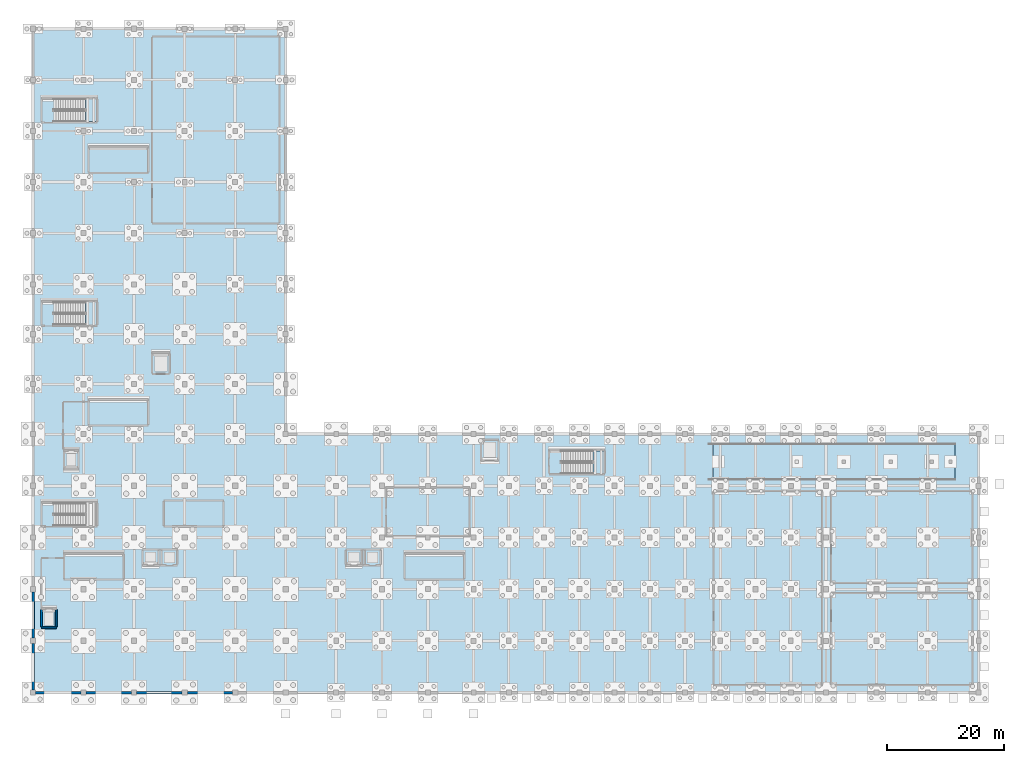
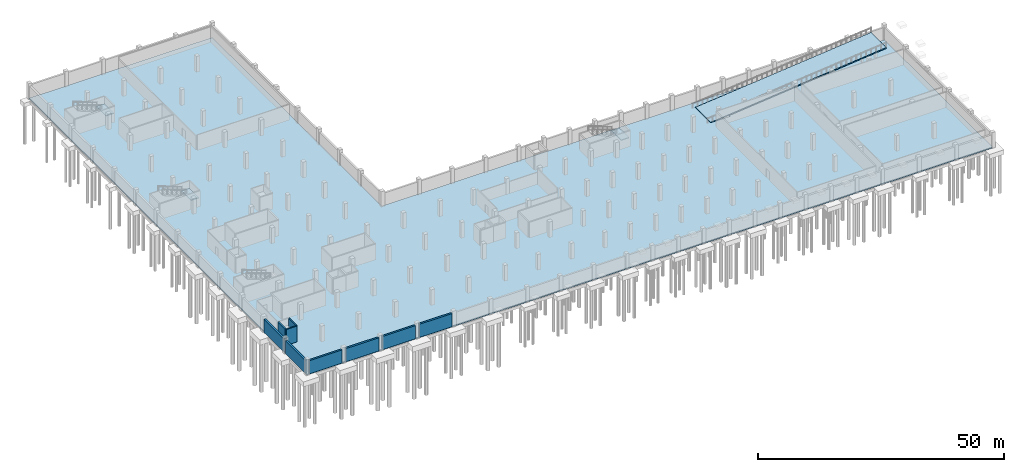
# One storey, part 13 of 28: 9 walls, 5 slabs, 3 elements without a shape of their own.
"""IFC4 building model written with IfcOpenShell, lengths in metres."""

import ifcopenshell
import ifcopenshell.guid

model = None  # the IFC model being written
_history = None  # IfcOwnerHistory: only IFC2X3 demands one
_inside = {}  # id of a spatial element -> (the spatial element, [elements in it])
_under = {}  # id of a project, library or spatial element -> (it, [spatial elements below it])
_declared = {}  # id of a project -> (the project, [libraries it declares])
_typed = {}  # id of a type object -> (the type object, [elements of that type])
_made_of = {}  # id of a material, layer set ... -> (it, [elements and type objects made of it])


def new_model(schema):
    """Start an empty IFC model of exactly this schema.

    Asked for "IFC4X3", IfcOpenShell would pick the latest addendum, in which some entities
    have other attributes; the version numbers below select the first issue.
    IFC2X3 requires an IfcOwnerHistory on every rooted entity: one is made here for all.
    """
    global model, _history
    if schema == "IFC4X3":
        model = ifcopenshell.file(schema_version=(4, 3, 0, 0))
    else:
        model = ifcopenshell.file(schema=schema)
    _inside.clear()
    _under.clear()
    _declared.clear()
    _typed.clear()
    _made_of.clear()
    _history = None
    if model.schema == "IFC2X3":
        org = make("IfcOrganization", Name="unknown")
        user = make(
            "IfcPersonAndOrganization",
            ThePerson=make("IfcPerson", FamilyName="unknown"),
            TheOrganization=org,
        )
        app = make(
            "IfcApplication",
            ApplicationDeveloper=org,
            Version="unknown",
            ApplicationFullName="unknown",
            ApplicationIdentifier="unknown",
        )
        _history = make(
            "IfcOwnerHistory",
            OwningUser=user,
            OwningApplication=app,
            ChangeAction="ADDED",
            CreationDate=0,
        )
    return model


def make(cls, **values):
    """One entity of the class cls with the attributes given. An attribute that is None is left unset."""
    return model.create_entity(
        cls, **{name: value for name, value in values.items() if value is not None}
    )


def rooted(cls, **values):
    """An entity with a GlobalId (a new one), such as an element, a storey or a relation."""
    return make(cls, GlobalId=ifcopenshell.guid.new(), OwnerHistory=_history, **values)


def si_unit(unit_type, name, prefix=None):
    """IfcSIUnit, for example si_unit("LENGTHUNIT", "METRE", prefix="MILLI")."""
    return make("IfcSIUnit", UnitType=unit_type, Prefix=prefix, Name=name)


def assignment(units):
    """IfcUnitAssignment: the units of a project."""
    return None if units is None else make("IfcUnitAssignment", Units=units)


def point(xyz):
    """IfcCartesianPoint."""
    return None if xyz is None else make("IfcCartesianPoint", Coordinates=xyz)


def direction(xyz):
    """IfcDirection."""
    return None if xyz is None else make("IfcDirection", DirectionRatios=xyz)


def frame(location, z_axis=None, x_axis=None):
    """IfcAxis2Placement3D, a coordinate frame: its origin and axes. An axis left out is left unset."""
    return make(
        "IfcAxis2Placement3D",
        Location=point(location),
        Axis=direction(z_axis),
        RefDirection=direction(x_axis),
    )


def frame_2d(location, x_axis=None):
    """IfcAxis2Placement2D, a coordinate frame in the plane: its origin and x axis."""
    return make(
        "IfcAxis2Placement2D", Location=point(location), RefDirection=direction(x_axis)
    )


def origin():
    """The frame at (0, 0, 0) with its axes left unset."""
    return frame((0.0, 0.0, 0.0))


def place(relative_to, where):
    """IfcLocalPlacement: puts the frame where relative to a parent placement (None: the world)."""
    return make(
        "IfcLocalPlacement", PlacementRelTo=relative_to, RelativePlacement=where
    )


def context(
    kind, dimensions, precision=None, world=None, true_north=None, identifier=None
):
    """IfcGeometricRepresentationContext, for example the 3D "Model" context."""
    return make(
        "IfcGeometricRepresentationContext",
        ContextIdentifier=identifier,
        ContextType=kind,
        CoordinateSpaceDimension=dimensions,
        Precision=precision,
        WorldCoordinateSystem=world,
        TrueNorth=true_north,
    )


def subcontext(parent, identifier, kind, view, scale=None):
    """IfcGeometricRepresentationSubContext, for example "Body" below "Model"."""
    return make(
        "IfcGeometricRepresentationSubContext",
        ContextIdentifier=identifier,
        ContextType=kind,
        ParentContext=parent,
        TargetScale=scale,
        TargetView=view,
    )


def project(units=None, contexts=None):
    """IfcProject with its units and contexts."""
    return rooted(
        "IfcProject",
        Name="project",
        RepresentationContexts=contexts,
        UnitsInContext=assignment(units),
    )


def spatial(cls, under=None, at=None, **own):
    """A site, building, storey or space (cls), placed at a placement, below another one or the project."""
    s = rooted(cls, ObjectPlacement=at, **own)
    if under is not None:
        _under.setdefault(under.id(), (under, []))[1].append(s)
    return s


def polyline(points):
    """IfcPolyline through the points."""
    return make("IfcPolyline", Points=[point(p) for p in points])


def profile(cls, at=None, kind="AREA", **sizes):
    """A parametric profile (cls). Its sizes go by their IFC names, for example OverallWidth=200.0."""
    return make(cls, ProfileType=kind, Position=at, **sizes)


def rectangle(**sizes):
    """IfcRectangleProfileDef."""
    return profile("IfcRectangleProfileDef", **sizes)


def outline(outer, holes=None, kind="AREA"):
    """IfcArbitraryClosedProfileDef: a profile drawn as a closed curve; with holes, ...WithVoids."""
    if holes is None:
        return make("IfcArbitraryClosedProfileDef", ProfileType=kind, OuterCurve=outer)
    return make(
        "IfcArbitraryProfileDefWithVoids",
        ProfileType=kind,
        OuterCurve=outer,
        InnerCurves=holes,
    )


def extrude(swept, where, along, depth):
    """IfcExtrudedAreaSolid: the profile swept, set in the frame where, extruded along a direction by depth."""
    return make(
        "IfcExtrudedAreaSolid",
        SweptArea=swept,
        Position=where,
        ExtrudedDirection=direction(along),
        Depth=depth,
    )


def shape(context_of_items, identifier, shape_type, items):
    """IfcShapeRepresentation: the items that make up one representation, for example the "Body"."""
    return make(
        "IfcShapeRepresentation",
        ContextOfItems=context_of_items,
        RepresentationIdentifier=identifier,
        RepresentationType=shape_type,
        Items=items,
    )


def material(Name=None, Category=None):
    """IfcMaterial."""
    return make("IfcMaterial", Name=Name, Category=Category)


def layer(
    of_material, thickness, ventilated=None, Name=None, Category=None, Priority=None
):
    """IfcMaterialLayer: one layer of a wall or slab, of a material (None: an air gap)."""
    return make(
        "IfcMaterialLayer",
        Material=of_material,
        LayerThickness=thickness,
        IsVentilated=ventilated,
        Name=Name,
        Category=Category,
        Priority=Priority,
    )


def layer_set(layers, Name=None):
    """IfcMaterialLayerSet."""
    return make("IfcMaterialLayerSet", MaterialLayers=layers, LayerSetName=Name)


def made_of(thing, what):
    """Note that an element or type object is made of a material, layer set ...; save() writes the relation."""
    if what is not None:
        _made_of.setdefault(what.id(), (what, []))[1].append(thing)
    return thing


def type_object(cls, material=None, **own):
    """A type object (cls), such as IfcWallType, which elements share."""
    return made_of(rooted(cls, **own), material)


def element(
    cls,
    number,
    at=None,
    inside=None,
    cuts=None,
    type_object=None,
    material=None,
    context=None,
    identifier="Body",
    shape_type=None,
    held_by="IfcProductDefinitionShape",
    body=None,
    shapes=None,
    **own,
):
    """One element of the class cls, such as IfcWall. Its Tag is "e" and its number.

    at: its placement. inside: the storey or other place that contains it. cuts: it is an
    opening in that element (IfcRelVoidsElement). A single representation is given by context,
    identifier, shape_type and body (its items); several are given by shapes. held_by: the class
    of the entity that holds the representations. save() writes the other relations.
    """
    e = rooted(cls, Tag="e%d" % number, ObjectPlacement=at, **own)
    if body is not None:
        shapes = [shape(context, identifier, shape_type, body)]
    if shapes is not None:
        e.Representation = make(held_by, Representations=shapes)
    if inside is not None:
        _inside.setdefault(inside.id(), (inside, []))[1].append(e)
    if cuts is not None:
        rooted(
            "IfcRelVoidsElement", RelatingBuildingElement=cuts, RelatedOpeningElement=e
        )
    if type_object is not None:
        _typed.setdefault(type_object.id(), (type_object, []))[1].append(e)
    return made_of(e, material)


def aggregate(whole, parts):
    """IfcRelAggregates: a whole, such as a stair, and the parts it consists of."""
    return rooted("IfcRelAggregates", RelatingObject=whole, RelatedObjects=parts)


def save(model, path):
    """Write the relations noted so far, then the file.

    IfcRelAggregates (storeys below a building ...), IfcRelContainedInSpatialStructure (elements
    in a storey), IfcRelDefinesByType, IfcRelAssociatesMaterial and IfcRelDeclares: one each for
    every whole, place, type object, material and project.
    """
    for whole, parts in _under.values():
        aggregate(whole, parts)
    for where, things in _inside.values():
        rooted(
            "IfcRelContainedInSpatialStructure",
            RelatedElements=things,
            RelatingStructure=where,
        )
    for kind, things in _typed.values():
        rooted("IfcRelDefinesByType", RelatedObjects=things, RelatingType=kind)
    for what, things in _made_of.values():
        rooted("IfcRelAssociatesMaterial", RelatedObjects=things, RelatingMaterial=what)
    for by, libraries in _declared.values():
        rooted("IfcRelDeclares", RelatingContext=by, RelatedDefinitions=libraries)
    model.write(path)


model = new_model("IFC4")

# Units and contexts
model_context = context("Model", 3, precision=1e-05, world=origin(), true_north=direction((0.0, 1.0)))
body_context = subcontext(model_context, "Body", "Model", "MODEL_VIEW")
ifc_project = project(units=[si_unit("LENGTHUNIT", "METRE"), si_unit("AREAUNIT", "SQUARE_METRE"), si_unit("VOLUMEUNIT", "CUBIC_METRE"), si_unit("PLANEANGLEUNIT", "RADIAN"), si_unit("MASSUNIT", "GRAM", prefix="KILO")], contexts=[model_context])

# Site, building, storey
site_placement = place(None, origin())
site = spatial("IfcSite", under=ifc_project, at=site_placement, CompositionType="ELEMENT")
building_placement = place(site_placement, origin())
building = spatial("IfcBuilding", under=site, at=building_placement, Name="Varnakota Cinema and Media Centre", CompositionType="ELEMENT")
storey_placement = place(building_placement, frame((0.0, 0.0, -4.199951171875)))
storey = spatial("IfcBuildingStorey", under=building, at=storey_placement, Name="B1", CompositionType="ELEMENT", Elevation=-4.199951171875)

# Slab
ifc_material_1 = material(Name="Concrete M30", Category="concrete")
ifc_layer_1 = layer(ifc_material_1, 0.25)
ifc_layer_set_1 = layer_set([ifc_layer_1], Name="Concrete M30")
slab_type_1 = type_object("IfcSlabType", Name="SLB-BASE-250", PredefinedType="BASESLAB", material=ifc_layer_set_1)
slab_1_placement = place(storey_placement, frame((0.0, 0.0, -0.25)))
element("IfcSlab", 1, at=slab_1_placement, inside=storey, type_object=slab_type_1, Name="Basement B1 raft and slab-on-grade", PredefinedType="BASESLAB", context=body_context, shape_type="SweptSolid", body=[
    extrude(outline(polyline([(0.0, 0.0), (161.0, 0.0), (161.0, 44.0), (43.0, 44.0), (43.0, 113.0), (0.0, 113.0), (0.0, 0.0)]), holes=[polyline([(115.64990234375, 36.14990234375), (120.199951171875, 36.14990234375), (120.199951171875, 42.449951171875), (115.64990234375, 42.449951171875), (115.64990234375, 36.14990234375)])]), origin(), (0.0, 0.0, 1.0), 0.25),
])

# Stair, slab
ifc_material_2 = material(Name="Concrete M35", Category="concrete")
stair_type_1 = type_object("IfcStairType", Name="STR-CORE-ST-B2-1850", PredefinedType="HALF_TURN_STAIR", material=ifc_material_2)
stair_1_placement = place(storey_placement, origin())
stair_1 = element("IfcStair", 2, at=stair_1_placement, inside=storey, type_object=stair_type_1, Name="B1 Basement Cinema Escape Stair B2", PredefinedType="HALF_TURN_STAIR")
ifc_material_3 = material(Name="Concrete M35", Category="concrete")
ifc_layer_2 = layer(ifc_material_3, 0.199951171875)
ifc_layer_set_2 = layer_set([ifc_layer_2], Name="Concrete M35")
slab_type_2 = type_object("IfcSlabType", Name="SLB-LAND-ST-B2", PredefinedType="LANDING", material=ifc_layer_set_2)
slab_2_placement = place(storey_placement, frame((0.0, 0.0, 1.89990234375)))
slab_2 = element("IfcSlab", 3, at=slab_2_placement, type_object=slab_type_2, Name="ST-B2 landing 1", PredefinedType="LANDING", context=body_context, shape_type="SweptSolid", body=[
    extrude(outline(polyline([(95.31005859375, 37.300048828125), (97.159912109375, 37.300048828125), (97.159912109375, 41.14990234375), (95.31005859375, 41.14990234375), (95.31005859375, 37.300048828125)])), origin(), (0.0, 0.0, 1.0), 0.199951171875),
])
aggregate(stair_1, [slab_2])

ifc_material_4 = material(Name="Concrete M35", Category="concrete")
stair_type_2 = type_object("IfcStairType", Name="STR-CORE-ST-B3-1850", PredefinedType="HALF_TURN_STAIR", material=ifc_material_4)
stair_2_placement = place(storey_placement, origin())
stair_2 = element("IfcStair", 4, at=stair_2_placement, inside=storey, type_object=stair_type_2, Name="B1 Basement Studio Escape Stair B3", PredefinedType="HALF_TURN_STAIR")
ifc_material_5 = material(Name="Concrete M35", Category="concrete")
ifc_layer_3 = layer(ifc_material_5, 0.199951171875)
ifc_layer_set_3 = layer_set([ifc_layer_3], Name="Concrete M35")
slab_type_3 = type_object("IfcSlabType", Name="SLB-LAND-ST-B3", PredefinedType="LANDING", material=ifc_layer_set_3)
slab_3_placement = place(storey_placement, frame((0.0, 0.0, 1.89990234375)))
slab_3 = element("IfcSlab", 5, at=slab_3_placement, type_object=slab_type_3, Name="ST-B3 landing 1", PredefinedType="LANDING", context=body_context, shape_type="SweptSolid", body=[
    extrude(outline(polyline([(8.909912109375, 62.60009765625), (10.760009765625, 62.60009765625), (10.760009765625, 66.449951171875), (8.909912109375, 66.449951171875), (8.909912109375, 62.60009765625)])), origin(), (0.0, 0.0, 1.0), 0.199951171875),
])
aggregate(stair_2, [slab_3])

ifc_material_6 = material(Name="Concrete M35", Category="concrete")
stair_type_3 = type_object("IfcStairType", Name="STR-CORE-ST-B4-1850", PredefinedType="HALF_TURN_STAIR", material=ifc_material_6)
stair_3_placement = place(storey_placement, origin())
stair_3 = element("IfcStair", 6, at=stair_3_placement, inside=storey, type_object=stair_type_3, Name="B1 Basement North Escape Stair B4", PredefinedType="HALF_TURN_STAIR")
ifc_material_7 = material(Name="Concrete M35", Category="concrete")
ifc_layer_4 = layer(ifc_material_7, 0.199951171875)
ifc_layer_set_4 = layer_set([ifc_layer_4], Name="Concrete M35")
slab_type_4 = type_object("IfcSlabType", Name="SLB-LAND-ST-B4", PredefinedType="LANDING", material=ifc_layer_set_4)
slab_4_placement = place(storey_placement, frame((0.0, 0.0, 1.89990234375)))
slab_4 = element("IfcSlab", 7, at=slab_4_placement, type_object=slab_type_4, Name="ST-B4 landing 1", PredefinedType="LANDING", context=body_context, shape_type="SweptSolid", body=[
    extrude(outline(polyline([(8.909912109375, 97.199951171875), (10.760009765625, 97.199951171875), (10.760009765625, 101.050048828125), (8.909912109375, 101.050048828125), (8.909912109375, 97.199951171875)])), origin(), (0.0, 0.0, 1.0), 0.199951171875),
])
aggregate(stair_3, [slab_4])

# Slab
ifc_material_8 = material(Name="Concrete M35", Category="concrete")
ifc_layer_5 = layer(ifc_material_8, 0.260009765625)
ifc_layer_set_5 = layer_set([ifc_layer_5], Name="Concrete M35")
slab_type_5 = type_object("IfcSlabType", Name="SLB-RMP-260", PredefinedType="FLOOR", material=ifc_layer_set_5)
slab_5_placement = place(storey_placement, frame((115.719970703125, 36.199951171875, 0.02001953125), z_axis=(-0.100361538263, 0.0, 0.994951034794), x_axis=(0.994951034794, 0.0, 0.100361538263)))
element("IfcSlab", 8, at=slab_5_placement, inside=storey, type_object=slab_type_5, Name="Basement B1 two-way vehicular car park ramp slab", PredefinedType="FLOOR", context=body_context, shape_type="SweptSolid", body=[
    extrude(outline(polyline([(0.0, 0.0), (41.449266136918155, 0.0), (41.449266136918155, 6.199951171875002), (0.0, 6.199951171875002), (0.0, 0.0)])), origin(), (0.0, 0.0, -1.0), 0.260009765625),
])

# Walls
ifc_material_9 = material(Name="Concrete M40", Category="concrete")
ifc_layer_6 = layer(ifc_material_9, 0.300048828125)
ifc_layer_set_6 = layer_set([ifc_layer_6], Name="Concrete M40")
wall_type_1 = type_object("IfcWallType", Name="W-CORE-300", PredefinedType="SHEAR", material=ifc_layer_set_6)
wall_1_placement = place(storey_placement, frame((3.949951171875, 11.050048828125, 0.0), z_axis=(0.0, 0.0, 1.0), x_axis=(-1.0, 0.0, 0.0)))
element("IfcWall", 9, at=wall_1_placement, inside=storey, type_object=wall_type_1, Name="B1 LSHAFT-LF-01-B1 S wall", PredefinedType="SHEAR", context=body_context, shape_type="SweptSolid", body=[
    extrude(rectangle(XDim=2.5, YDim=0.300048828125, at=frame_2d((1.25, 0.0))), origin(), (0.0, 0.0, 1.0), 3.919921875),
])
for number, where, z_axis, x_axis, name in (
    (10, (1.449951171875, 11.199951171875, 0.0), (0.0, 0.0, 1.0), (0.0, 1.0, 0.0), "B1 LSHAFT-LF-01-B1 W wall"),
    (11, (3.949951171875, 14.10009765625, 0.0), (0.0, 0.0, 1.0), (0.0, -1.0, 0.0), "B1 LSHAFT-LF-01-B1 E wall"),
):
    element("IfcWall", number, at=place(storey_placement, frame(where, z_axis=z_axis, x_axis=x_axis)), inside=storey, type_object=wall_type_1, Name=name, PredefinedType="SHEAR", context=body_context, shape_type="SweptSolid", body=[
        extrude(rectangle(XDim=2.900146484375, YDim=0.300048828125, at=frame_2d((1.4501953125, 0.0))), origin(), (0.0, 0.0, 1.0), 3.919921875),
    ])
ifc_material_10 = material(Name="Concrete M40", Category="concrete")
ifc_layer_7 = layer(ifc_material_10, 0.419921875)
ifc_layer_set_7 = layer_set([ifc_layer_7], Name="Concrete M40")
wall_type_2 = type_object("IfcWallType", Name="W-RET-420", PredefinedType="USERDEFINED", material=ifc_layer_set_7)
wall_2_placement = place(storey_placement, frame((33.949951171875, 0.0, 0.0), z_axis=(0.0, 0.0, 1.0), x_axis=(-1.0, 0.0, 0.0)))
element("IfcWall", 12, at=wall_2_placement, inside=storey, type_object=wall_type_2, Name="B1 retaining wall B1-S-19", ObjectType="RETAINING WALL", PredefinedType="USERDEFINED", context=body_context, shape_type="SweptSolid", body=[
    extrude(rectangle(XDim=7.699951171875, YDim=0.419921875, at=frame_2d((3.85009765625, 0.0))), origin(), (0.0, 0.0, 1.0), 3.27001953125),
])
wall_3_placement = place(storey_placement, frame((25.35009765625, 0.0, 0.0), z_axis=(0.0, 0.0, 1.0), x_axis=(-1.0, 0.0, 0.0)))
element("IfcWall", 13, at=wall_3_placement, inside=storey, type_object=wall_type_2, Name="B1 retaining wall B1-S-20", ObjectType="RETAINING WALL", PredefinedType="USERDEFINED", context=body_context, shape_type="SweptSolid", body=[
    extrude(rectangle(XDim=7.7001953125, YDim=0.419921875, at=frame_2d((3.85009765625, 0.0))), origin(), (0.0, 0.0, 1.0), 3.27001953125),
])
for number, where, z_axis, x_axis, name in (
    (14, (16.75, 0.0, 0.0), (0.0, 0.0, 1.0), (-1.0, 0.0, 0.0), "B1 retaining wall B1-S-21"),
    (15, (8.14990234375, 0.0, 0.0), (0.0, 0.0, 1.0), (-1.0, 0.0, 0.0), "B1 retaining wall B1-S-22"),
):
    element("IfcWall", number, at=place(storey_placement, frame(where, z_axis=z_axis, x_axis=x_axis)), inside=storey, type_object=wall_type_2, Name=name, ObjectType="RETAINING WALL", PredefinedType="USERDEFINED", context=body_context, shape_type="SweptSolid", body=[
        extrude(rectangle(XDim=7.699951171875, YDim=0.419921875, at=frame_2d((3.85009765625, 0.0))), origin(), (0.0, 0.0, 1.0), 3.27001953125),
    ])
wall_4_placement = place(storey_placement, frame((0.0, 0.449951171875, 0.0), z_axis=(0.0, 0.0, 1.0), x_axis=(0.0, 1.0, 0.0)))
element("IfcWall", 16, at=wall_4_placement, inside=storey, type_object=wall_type_2, Name="B1 retaining wall B1-W-1", ObjectType="RETAINING WALL", PredefinedType="USERDEFINED", context=body_context, shape_type="SweptSolid", body=[
    extrude(rectangle(XDim=7.900146484375, YDim=0.419921875, at=frame_2d((3.9501953125, 0.0))), origin(), (0.0, 0.0, 1.0), 3.27001953125),
])
wall_5_placement = place(storey_placement, frame((0.0, 9.25, 0.0), z_axis=(0.0, 0.0, 1.0), x_axis=(0.0, 1.0, 0.0)))
element("IfcWall", 17, at=wall_5_placement, inside=storey, type_object=wall_type_2, Name="B1 retaining wall B1-W-2", ObjectType="RETAINING WALL", PredefinedType="USERDEFINED", context=body_context, shape_type="SweptSolid", body=[
    extrude(rectangle(XDim=7.89990234375, YDim=0.419921875, at=frame_2d((3.949951171875, 0.0))), origin(), (0.0, 0.0, 1.0), 3.27001953125),
])

save(model, "model.ifc")
